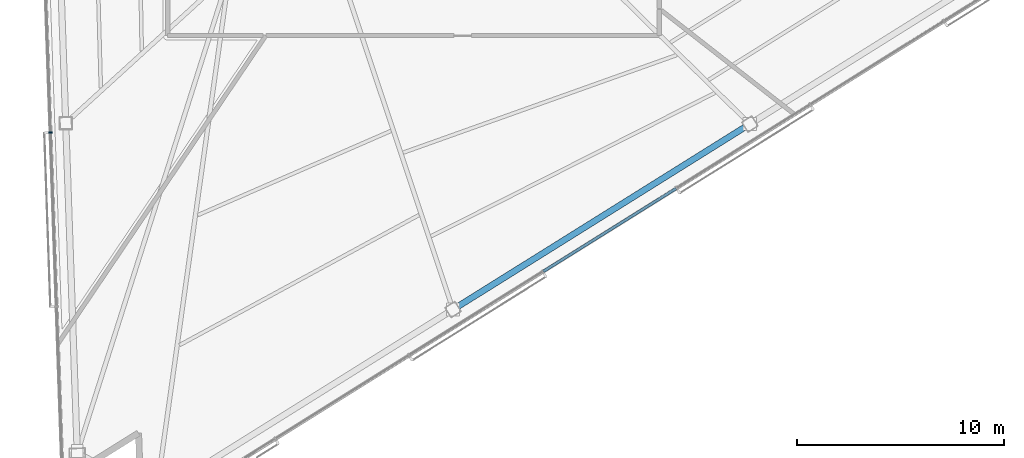
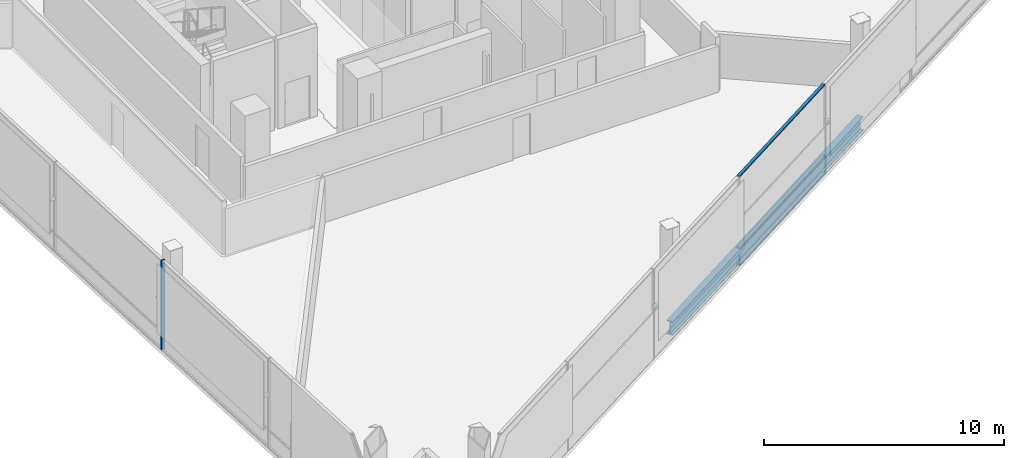
# One storey, part 3 of 19: 4 members, 1 beam, 2 elements without a shape of their own.
"""IFC4 building model written with IfcOpenShell, lengths in metres."""

from ifc_helpers import new_model, si_unit, direction, frame, origin, origin_2d, place, context, subcontext, project, spatial, rectangle, i_section, extrude, material, layer, layer_set, material_profile, profile_set, type_object, element, aggregate, save


model = new_model("IFC4")

# Units and contexts
model_context = context("Model", 3, precision=1e-05, world=origin(), true_north=direction((0.0, 1.0)))
body_context = subcontext(model_context, "Body", "Model", "MODEL_VIEW")
ifc_project = project(units=[si_unit("LENGTHUNIT", "METRE"), si_unit("AREAUNIT", "SQUARE_METRE"), si_unit("VOLUMEUNIT", "CUBIC_METRE"), si_unit("PLANEANGLEUNIT", "RADIAN"), si_unit("MASSUNIT", "GRAM", prefix="KILO")], contexts=[model_context])

# Site, building, storey
site_placement = place(None, origin())
site = spatial("IfcSite", under=ifc_project, at=site_placement, CompositionType="ELEMENT")
building_placement = place(site_placement, origin())
building = spatial("IfcBuilding", under=site, at=building_placement, Name="Tharavind Bronze Gate", CompositionType="ELEMENT")
storey_placement = place(building_placement, frame((0.0, 0.0, 160.39990234375)))
storey = spatial("IfcBuildingStorey", under=building, at=storey_placement, Name="L41", CompositionType="ELEMENT", Elevation=160.39990234375)

# Curtain wall, member
ifc_material_1 = material(Name="Anodised Bronze Aluminium", Category="aluminium")
ifc_layer = layer(ifc_material_1, 0.219970703125)
ifc_layer_set = layer_set([ifc_layer], Name="Anodised Bronze Aluminium")
curtain_wall_type = type_object("IfcCurtainWallType", Name="UNITISED CURTAIN WALL MID OFFICE", PredefinedType="USERDEFINED", material=ifc_layer_set)
curtain_wall_1_placement = place(storey_placement, origin())
curtain_wall_1 = element("IfcCurtainWall", 1, at=curtain_wall_1_placement, inside=storey, type_object=curtain_wall_type, Name="L41 unitised curtain wall mid office CW-L41-S1", ObjectType="UNITISED CURTAIN WALL", PredefinedType="USERDEFINED")
member_type_1 = type_object("IfcMemberType", Name="CURTAIN WALL BRONZE MULLION 65X180", PredefinedType="MULLION", material=ifc_material_1)
member_1_placement = place(storey_placement, frame((-17.545166015625, -15.273193359375, 0.0), z_axis=(0.0, 0.0, 1.0), x_axis=(0.034899496703, -0.999390827019, 0.0)))
member_1 = element("IfcMember", 2, at=member_1_placement, type_object=member_type_1, Name="CW-L41-S1 mullion 5", PredefinedType="MULLION", context=body_context, shape_type="SweptSolid", body=[
    extrude(rectangle(XDim=0.06494140625, YDim=0.179931640625, at=origin_2d()), origin(), (0.0, 0.0, 1.0), 4.554931640625),
])
aggregate(curtain_wall_1, [member_1])

# Curtain wall, members
curtain_wall_2_placement = place(storey_placement, origin())
curtain_wall_2 = element("IfcCurtainWall", 3, at=curtain_wall_2_placement, inside=storey, type_object=curtain_wall_type, Name="L41 unitised curtain wall mid office CW-L41-S2", ObjectType="UNITISED CURTAIN WALL", PredefinedType="USERDEFINED")
member_type_2 = type_object("IfcMemberType", Name="CURTAIN WALL BRONZE TRANSOM 65X140", PredefinedType="USERDEFINED", material=ifc_material_1)
member_2_placement = place(storey_placement, frame((9.485595703125, -19.97998046875, 0.000244140625), z_axis=(0.0, 0.0, 1.0), x_axis=(0.848048096156, 0.529919264233, 0.0)))
member_2 = element("IfcMember", 4, at=member_2_placement, type_object=member_type_2, Name="CW-L41-S2 transom TB4", ObjectType="TRANSOM", PredefinedType="USERDEFINED", context=body_context, shape_type="SweptSolid", body=[
    extrude(rectangle(XDim=7.57080078125, YDim=0.139892578125, at=origin_2d()), origin(), (0.0, 0.0, 1.0), 0.06494140625),
])
member_3_placement = place(storey_placement, frame((9.485595703125, -19.97998046875, 0.86767578125), z_axis=(0.0, 0.0, 1.0), x_axis=(0.848048096156, 0.529919264233, 0.0)))
member_3 = element("IfcMember", 5, at=member_3_placement, type_object=member_type_2, Name="CW-L41-S2 transom TS4", ObjectType="TRANSOM", PredefinedType="USERDEFINED", context=body_context, shape_type="SweptSolid", body=[
    extrude(rectangle(XDim=7.57080078125, YDim=0.139892578125, at=origin_2d()), origin(), (0.0, 0.0, 1.0), 0.06494140625),
])
member_4_placement = place(storey_placement, frame((9.485595703125, -19.97998046875, 4.490234375), z_axis=(0.0, 0.0, 1.0), x_axis=(0.848048096156, 0.529919264233, 0.0)))
member_4 = element("IfcMember", 6, at=member_4_placement, type_object=member_type_2, Name="CW-L41-S2 transom TT4", ObjectType="TRANSOM", PredefinedType="USERDEFINED", context=body_context, shape_type="SweptSolid", body=[
    extrude(rectangle(XDim=7.57080078125, YDim=0.139892578125, at=origin_2d()), origin(), (0.0, 0.0, 1.0), 0.06494140625),
])
aggregate(curtain_wall_2, [member_2, member_3, member_4])

# Beam
ifc_material_2 = material(Name="Steel S355", Category="steel")
ifc_material_profile = material_profile(ifc_material_2, i_section(OverallWidth=0.300048828125, OverallDepth=0.699951171875, WebThickness=0.01708984375, FlangeThickness=0.031982421875, at=origin_2d()), Name="HE700B")
ifc_profile_set = profile_set([ifc_material_profile], Name="Steel S355")
beam_type = type_object("IfcBeamType", Name="RING GIRDER HE700B", PredefinedType="USERDEFINED", material=ifc_profile_set)
beam_placement = place(storey_placement, frame((1.912353515625, -23.827880859375, -0.539794921875), z_axis=(0.848050170677, 0.529915944293, 0.0), x_axis=(-0.529915944293, 0.848050170677, 0.0)))
element("IfcBeam", 7, at=beam_placement, inside=storey, type_object=beam_type, Name="L41 ring girder he700b BM-L41-PRG06", ObjectType="GIRDER", PredefinedType="USERDEFINED", context=body_context, shape_type="SweptSolid", body=[
    extrude(i_section(OverallWidth=0.300048828125, OverallDepth=0.699951171875, WebThickness=0.01708984375, FlangeThickness=0.031982421875, at=origin_2d()), origin(), (0.0, 0.0, 1.0), 16.923095703125),
])

save(model, "model.ifc")
